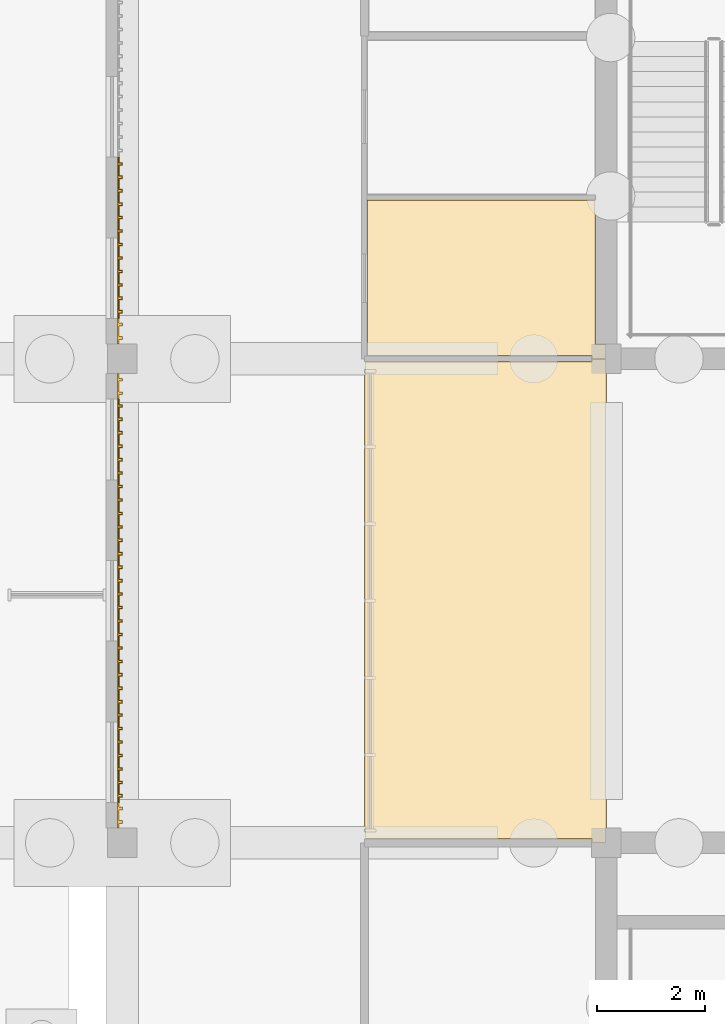
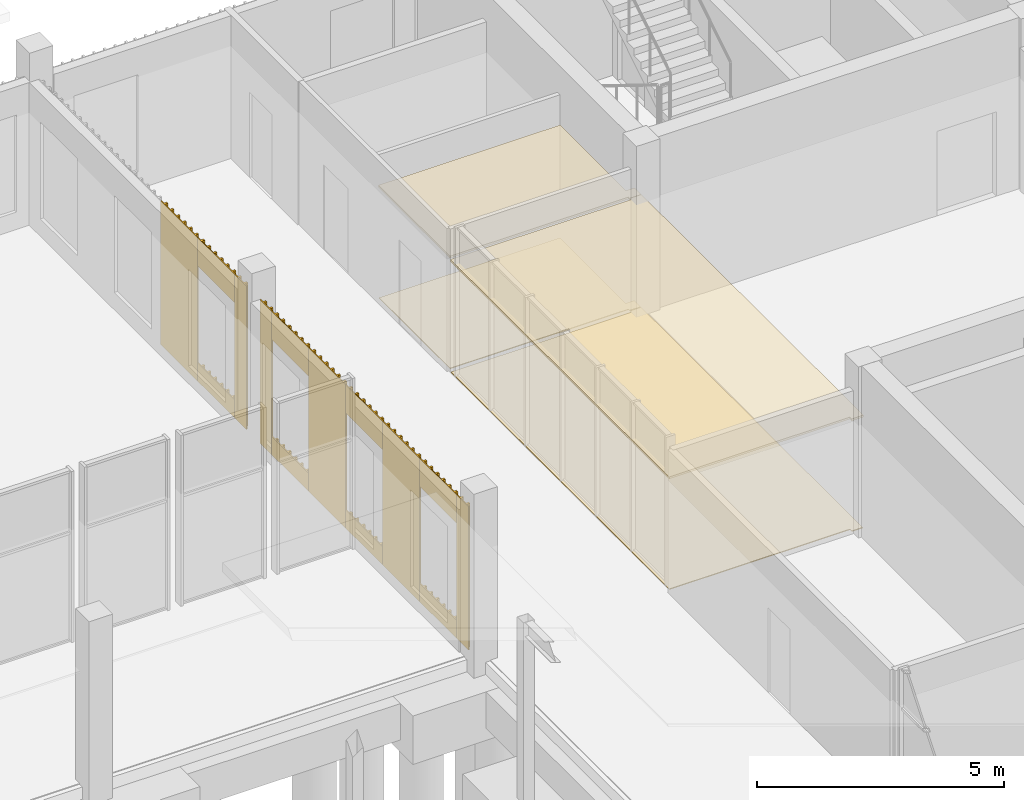
# One storey, part 96 of 106: 18 coverings.
"""IFC4 building model written with IfcOpenShell, lengths in metres."""

from ifc_helpers import new_model, si_unit, direction, frame, origin, place, context, subcontext, project, spatial, polyline, outline, extrude, source, transform, mapped, material, layer, layer_set, type_object, element, save


model = new_model("IFC4")

# Units and contexts
model_context = context("Model", 3, precision=1e-05, world=origin(), true_north=direction((0.0, 1.0)))
body_context = subcontext(model_context, "Body", "Model", "MODEL_VIEW")
ifc_project = project(units=[si_unit("LENGTHUNIT", "METRE"), si_unit("AREAUNIT", "SQUARE_METRE"), si_unit("VOLUMEUNIT", "CUBIC_METRE"), si_unit("PLANEANGLEUNIT", "RADIAN"), si_unit("MASSUNIT", "GRAM", prefix="KILO")], contexts=[model_context])

# Site, building, storey
site_placement = place(None, origin())
site = spatial("IfcSite", under=ifc_project, at=site_placement, CompositionType="ELEMENT")
building_placement = place(site_placement, origin())
building = spatial("IfcBuilding", under=site, at=building_placement, Name="Merrow Basin Faculty of Sciences", CompositionType="ELEMENT")
storey_placement = place(building_placement, origin())
storey = spatial("IfcBuildingStorey", under=building, at=storey_placement, Name="L00", CompositionType="ELEMENT", Elevation=0.0)

# Coverings
ifc_material_1 = material(Name="Carpet tile floor")
ifc_layer_1 = layer(ifc_material_1, 0.02001953125)
ifc_layer_set_1 = layer_set([ifc_layer_1], Name="Carpet tile floor")
covering_type_1 = type_object("IfcCoveringType", Name="Carpet tile floor", PredefinedType="FLOORING", material=ifc_layer_set_1)
covering_1_placement = place(storey_placement, origin())
element("IfcCovering", 1, at=covering_1_placement, inside=storey, type_object=covering_type_1, Name="Floor finish L00-C-021", PredefinedType="FLOORING", context=body_context, shape_type="SweptSolid", body=[
    extrude(outline(polyline([(62.989990234375, 123.989990234375), (62.989990234375, 115.010009765625), (62.735107421875, 115.010009765625), (62.735107421875, 115.0849609375), (58.510009765625, 115.0849609375), (58.510009765625, 123.93994140625), (62.735107421875, 123.93994140625), (62.735107421875, 123.989990234375), (62.989990234375, 123.989990234375)])), origin(), (0.0, 0.0, 1.0), 0.02001953125),
])
ifc_material_2 = material(Name="Ceramic floor tile")
ifc_layer_2 = layer(ifc_material_2, 0.02001953125)
ifc_layer_set_2 = layer_set([ifc_layer_2], Name="Ceramic floor tile")
covering_type_2 = type_object("IfcCoveringType", Name="Ceramic floor tile", PredefinedType="FLOORING", material=ifc_layer_set_2)
covering_2_placement = place(storey_placement, origin())
element("IfcCovering", 2, at=covering_2_placement, inside=storey, type_object=covering_type_2, Name="Floor finish L00-C-029", PredefinedType="FLOORING", context=body_context, shape_type="SweptSolid", body=[
    extrude(outline(polyline([(62.989990234375, 124.010009765625), (62.735107421875, 124.010009765625), (62.735107421875, 124.06005859375), (58.56005859375, 124.06005859375), (58.56005859375, 126.93994140625), (62.7900390625, 126.93994140625), (62.7900390625, 124.264892578125), (62.989990234375, 124.264892578125), (62.989990234375, 124.010009765625)])), origin(), (0.0, 0.0, 1.0), 0.02001953125),
])
ifc_material_3 = material(Name="Mineral fibre ceiling tile")
ifc_layer_3 = layer(ifc_material_3, 0.050048828125)
ifc_layer_set_3 = layer_set([ifc_layer_3], Name="Suspended acoustic ceiling tile")
covering_type_3 = type_object("IfcCoveringType", Name="Suspended acoustic ceiling tile", PredefinedType="CEILING", material=ifc_layer_set_3)
covering_3_placement = place(storey_placement, frame((0.0, 0.0, 2.75)))
element("IfcCovering", 3, at=covering_3_placement, inside=storey, type_object=covering_type_3, Name="Ceiling L00-C-021", PredefinedType="CEILING", context=body_context, shape_type="SweptSolid", body=[
    extrude(outline(polyline([(63.0, 124.0), (63.0, 115.0), (62.72509765625, 115.0), (62.72509765625, 115.074951171875), (58.5, 115.074951171875), (58.5, 123.949951171875), (62.72509765625, 123.949951171875), (62.72509765625, 124.0), (63.0, 124.0)])), origin(), (0.0, 0.0, 1.0), 0.050048828125),
])
covering_4_placement = place(storey_placement, frame((0.0, 0.0, 2.75)))
element("IfcCovering", 4, at=covering_4_placement, inside=storey, type_object=covering_type_3, Name="Ceiling L00-C-029", PredefinedType="CEILING", context=body_context, shape_type="SweptSolid", body=[
    extrude(outline(polyline([(63.0, 124.0), (62.72509765625, 124.0), (62.72509765625, 124.050048828125), (58.550048828125, 124.050048828125), (58.550048828125, 126.949951171875), (62.800048828125, 126.949951171875), (62.800048828125, 124.27490234375), (63.0, 124.27490234375), (63.0, 124.0)])), origin(), (0.0, 0.0, 1.0), 0.050048828125),
])
ifc_material_4 = material(Name="Larch timber", Category="wood")
ifc_layer_4 = layer(ifc_material_4, 0.0849609375)
ifc_layer_set_4 = layer_set([ifc_layer_4], Name="Larch batten cladding 85")
covering_type_4 = type_object("IfcCoveringType", Name="Larch batten cladding 85", PredefinedType="CLADDING", material=ifc_layer_set_4)
shared_shape_1 = source(origin(), body_context, "Body", "SweptSolid", [
    extrude(outline(polyline([(0.0, 0.0), (0.47509765625, 0.0), (0.47509765625, 0.02490234375), (0.387939453125, 0.02490234375), (0.387939453125, 0.0849609375), (0.337890625, 0.0849609375), (0.337890625, 0.02490234375), (0.137939453125, 0.02490234375), (0.137939453125, 0.0849609375), (0.087890625, 0.0849609375), (0.087890625, 0.02490234375), (0.0, 0.02490234375), (0.0, 0.0)])), origin(), (0.0, 0.0, 1.0), 3.550048828125),
])
for number, where, z_axis, x_axis, name in (
    (5, (53.9150390625, 123.72509765625, 0.0), (0.0, 0.0, 1.0), (0.0, -1.0, 0.0), "Larch batten cladding"),
    (6, (53.9150390625, 115.75, 0.0), (0.0, 0.0, 1.0), (0.0, -1.0, 0.0), "Larch batten cladding"),
    (7, (53.9150390625, 124.75, 0.0), (0.0, 0.0, 1.0), (0.0, -1.0, 0.0), "Larch batten cladding"),
):
    element("IfcCovering", number, at=place(storey_placement, frame(where, z_axis=z_axis, x_axis=x_axis)), inside=storey, type_object=covering_type_4, Name=name, PredefinedType="CLADDING", context=body_context, shape_type="MappedRepresentation", body=[
        mapped(shared_shape_1, transform((0.0, 0.0, 0.0), scale=1.0)),
    ])
shared_shape_2 = source(origin(), body_context, "Body", "SweptSolid", [
    extrude(outline(polyline([(0.0, 0.0), (1.5, 0.0), (1.5, 0.02490234375), (1.39990234375, 0.02490234375), (1.39990234375, 0.0849609375), (1.35009765625, 0.0849609375), (1.35009765625, 0.02490234375), (1.14990234375, 0.02490234375), (1.14990234375, 0.0849609375), (1.10009765625, 0.0849609375), (1.10009765625, 0.02490234375), (0.89990234375, 0.02490234375), (0.89990234375, 0.0849609375), (0.85009765625, 0.0849609375), (0.85009765625, 0.02490234375), (0.64990234375, 0.02490234375), (0.64990234375, 0.0849609375), (0.60009765625, 0.0849609375), (0.60009765625, 0.02490234375), (0.39990234375, 0.02490234375), (0.39990234375, 0.0849609375), (0.35009765625, 0.0849609375), (0.35009765625, 0.02490234375), (0.14990234375, 0.02490234375), (0.14990234375, 0.0849609375), (0.10009765625, 0.0849609375), (0.10009765625, 0.02490234375), (0.0, 0.02490234375), (0.0, 0.0)])), origin(), (0.0, 0.0, 1.0), 0.449951171875),
])
for number, where, z_axis, x_axis, name in (
    (8, (53.9150390625, 123.25, 0.0), (0.0, 0.0, 1.0), (0.0, -1.0, 0.0), "Larch batten cladding"),
    (9, (53.9150390625, 120.25, 0.0), (0.0, 0.0, 1.0), (0.0, -1.0, 0.0), "Larch batten cladding"),
    (10, (53.9150390625, 117.25, 0.0), (0.0, 0.0, 1.0), (0.0, -1.0, 0.0), "Larch batten cladding"),
    (11, (53.9150390625, 126.25, 0.0), (0.0, 0.0, 1.0), (0.0, -1.0, 0.0), "Larch batten cladding"),
):
    element("IfcCovering", number, at=place(storey_placement, frame(where, z_axis=z_axis, x_axis=x_axis)), inside=storey, type_object=covering_type_4, Name=name, PredefinedType="CLADDING", context=body_context, shape_type="MappedRepresentation", body=[
        mapped(shared_shape_2, transform((0.0, 0.0, 0.0), scale=1.0)),
    ])
shared_shape_3 = source(origin(), body_context, "Body", "SweptSolid", [
    extrude(outline(polyline([(0.0, 0.0), (1.5, 0.0), (1.5, 0.02490234375), (1.39990234375, 0.02490234375), (1.39990234375, 0.0849609375), (1.35009765625, 0.0849609375), (1.35009765625, 0.02490234375), (1.14990234375, 0.02490234375), (1.14990234375, 0.0849609375), (1.10009765625, 0.0849609375), (1.10009765625, 0.02490234375), (0.89990234375, 0.02490234375), (0.89990234375, 0.0849609375), (0.85009765625, 0.0849609375), (0.85009765625, 0.02490234375), (0.64990234375, 0.02490234375), (0.64990234375, 0.0849609375), (0.60009765625, 0.0849609375), (0.60009765625, 0.02490234375), (0.39990234375, 0.02490234375), (0.39990234375, 0.0849609375), (0.35009765625, 0.0849609375), (0.35009765625, 0.02490234375), (0.14990234375, 0.02490234375), (0.14990234375, 0.0849609375), (0.10009765625, 0.0849609375), (0.10009765625, 0.02490234375), (0.0, 0.02490234375), (0.0, 0.0)])), origin(), (0.0, 0.0, 1.0), 0.699951171875),
])
for number, where, z_axis, x_axis, name in (
    (12, (53.9150390625, 123.25, 2.85009765625), (0.0, 0.0, 1.0), (0.0, -1.0, 0.0), "Larch batten cladding"),
    (13, (53.9150390625, 120.25, 2.85009765625), (0.0, 0.0, 1.0), (0.0, -1.0, 0.0), "Larch batten cladding"),
    (14, (53.9150390625, 117.25, 2.85009765625), (0.0, 0.0, 1.0), (0.0, -1.0, 0.0), "Larch batten cladding"),
    (15, (53.9150390625, 126.25, 2.85009765625), (0.0, 0.0, 1.0), (0.0, -1.0, 0.0), "Larch batten cladding"),
):
    element("IfcCovering", number, at=place(storey_placement, frame(where, z_axis=z_axis, x_axis=x_axis)), inside=storey, type_object=covering_type_4, Name=name, PredefinedType="CLADDING", context=body_context, shape_type="MappedRepresentation", body=[
        mapped(shared_shape_3, transform((0.0, 0.0, 0.0), scale=1.0)),
    ])
shared_shape_4 = source(origin(), body_context, "Body", "SweptSolid", [
    extrude(outline(polyline([(0.0, 0.0), (1.5, 0.0), (1.5, 0.02490234375), (1.39990234375, 0.02490234375), (1.39990234375, 0.0849609375), (1.35009765625, 0.0849609375), (1.35009765625, 0.02490234375), (1.14990234375, 0.02490234375), (1.14990234375, 0.0849609375), (1.10009765625, 0.0849609375), (1.10009765625, 0.02490234375), (0.89990234375, 0.02490234375), (0.89990234375, 0.0849609375), (0.85009765625, 0.0849609375), (0.85009765625, 0.02490234375), (0.64990234375, 0.02490234375), (0.64990234375, 0.0849609375), (0.60009765625, 0.0849609375), (0.60009765625, 0.02490234375), (0.39990234375, 0.02490234375), (0.39990234375, 0.0849609375), (0.35009765625, 0.0849609375), (0.35009765625, 0.02490234375), (0.14990234375, 0.02490234375), (0.14990234375, 0.0849609375), (0.10009765625, 0.0849609375), (0.10009765625, 0.02490234375), (0.0, 0.02490234375), (0.0, 0.0)])), origin(), (0.0, 0.0, 1.0), 3.550048828125),
])
for number, where, z_axis, x_axis, name in (
    (16, (53.9150390625, 121.75, 0.0), (0.0, 0.0, 1.0), (0.0, -1.0, 0.0), "Larch batten cladding"),
    (17, (53.9150390625, 118.75, 0.0), (0.0, 0.0, 1.0), (0.0, -1.0, 0.0), "Larch batten cladding"),
    (18, (53.9150390625, 127.75, 0.0), (0.0, 0.0, 1.0), (0.0, -1.0, 0.0), "Larch batten cladding"),
):
    element("IfcCovering", number, at=place(storey_placement, frame(where, z_axis=z_axis, x_axis=x_axis)), inside=storey, type_object=covering_type_4, Name=name, PredefinedType="CLADDING", context=body_context, shape_type="MappedRepresentation", body=[
        mapped(shared_shape_4, transform((0.0, 0.0, 0.0), scale=1.0)),
    ])

save(model, "model.ifc")
